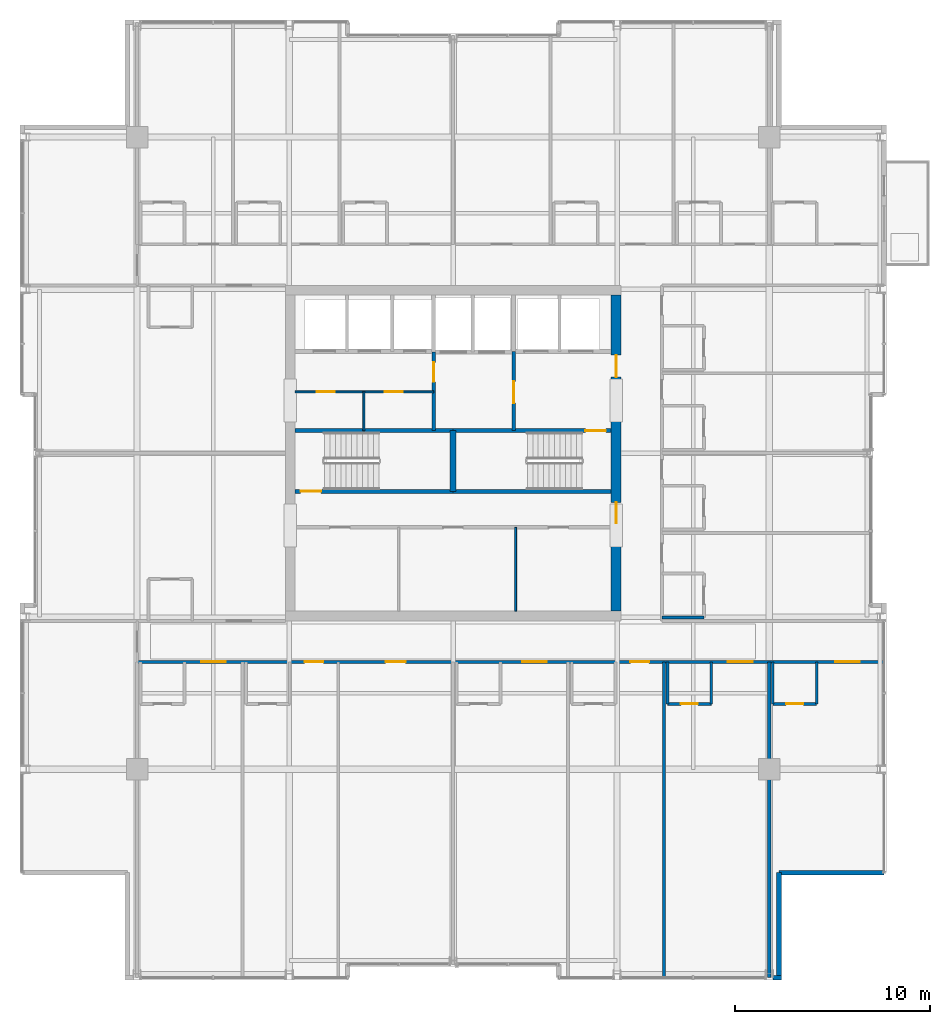
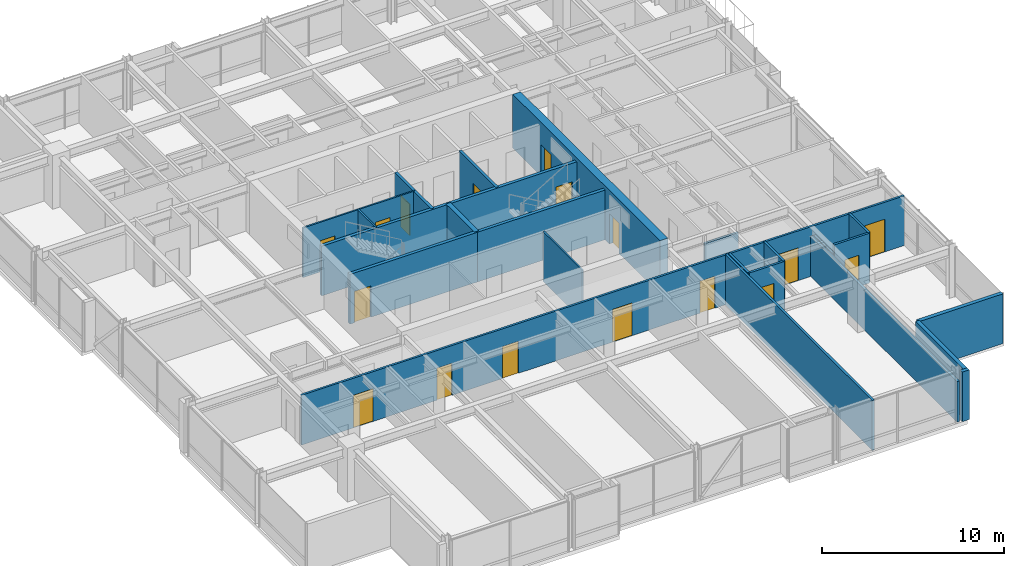
# One storey, part 27 of 33: 24 walls, 17 doors, 17 openings.
"""IFC4 building model written with IfcOpenShell, lengths in metres."""

import ifcopenshell
import ifcopenshell.guid

model = None  # the IFC model being written
_history = None  # IfcOwnerHistory: only IFC2X3 demands one
_inside = {}  # id of a spatial element -> (the spatial element, [elements in it])
_under = {}  # id of a project, library or spatial element -> (it, [spatial elements below it])
_declared = {}  # id of a project -> (the project, [libraries it declares])
_typed = {}  # id of a type object -> (the type object, [elements of that type])
_made_of = {}  # id of a material, layer set ... -> (it, [elements and type objects made of it])


def new_model(schema):
    """Start an empty IFC model of exactly this schema.

    Asked for "IFC4X3", IfcOpenShell would pick the latest addendum, in which some entities
    have other attributes; the version numbers below select the first issue.
    IFC2X3 requires an IfcOwnerHistory on every rooted entity: one is made here for all.
    """
    global model, _history
    if schema == "IFC4X3":
        model = ifcopenshell.file(schema_version=(4, 3, 0, 0))
    else:
        model = ifcopenshell.file(schema=schema)
    _inside.clear()
    _under.clear()
    _declared.clear()
    _typed.clear()
    _made_of.clear()
    _history = None
    if model.schema == "IFC2X3":
        org = make("IfcOrganization", Name="unknown")
        user = make(
            "IfcPersonAndOrganization",
            ThePerson=make("IfcPerson", FamilyName="unknown"),
            TheOrganization=org,
        )
        app = make(
            "IfcApplication",
            ApplicationDeveloper=org,
            Version="unknown",
            ApplicationFullName="unknown",
            ApplicationIdentifier="unknown",
        )
        _history = make(
            "IfcOwnerHistory",
            OwningUser=user,
            OwningApplication=app,
            ChangeAction="ADDED",
            CreationDate=0,
        )
    return model


def make(cls, **values):
    """One entity of the class cls with the attributes given. An attribute that is None is left unset."""
    return model.create_entity(
        cls, **{name: value for name, value in values.items() if value is not None}
    )


def rooted(cls, **values):
    """An entity with a GlobalId (a new one), such as an element, a storey or a relation."""
    return make(cls, GlobalId=ifcopenshell.guid.new(), OwnerHistory=_history, **values)


def si_unit(unit_type, name, prefix=None):
    """IfcSIUnit, for example si_unit("LENGTHUNIT", "METRE", prefix="MILLI")."""
    return make("IfcSIUnit", UnitType=unit_type, Prefix=prefix, Name=name)


def assignment(units):
    """IfcUnitAssignment: the units of a project."""
    return None if units is None else make("IfcUnitAssignment", Units=units)


def point(xyz):
    """IfcCartesianPoint."""
    return None if xyz is None else make("IfcCartesianPoint", Coordinates=xyz)


def direction(xyz):
    """IfcDirection."""
    return None if xyz is None else make("IfcDirection", DirectionRatios=xyz)


def frame(location, z_axis=None, x_axis=None):
    """IfcAxis2Placement3D, a coordinate frame: its origin and axes. An axis left out is left unset."""
    return make(
        "IfcAxis2Placement3D",
        Location=point(location),
        Axis=direction(z_axis),
        RefDirection=direction(x_axis),
    )


def frame_2d(location, x_axis=None):
    """IfcAxis2Placement2D, a coordinate frame in the plane: its origin and x axis."""
    return make(
        "IfcAxis2Placement2D", Location=point(location), RefDirection=direction(x_axis)
    )


def origin():
    """The frame at (0, 0, 0) with its axes left unset."""
    return frame((0.0, 0.0, 0.0))


def place(relative_to, where):
    """IfcLocalPlacement: puts the frame where relative to a parent placement (None: the world)."""
    return make(
        "IfcLocalPlacement", PlacementRelTo=relative_to, RelativePlacement=where
    )


def context(
    kind, dimensions, precision=None, world=None, true_north=None, identifier=None
):
    """IfcGeometricRepresentationContext, for example the 3D "Model" context."""
    return make(
        "IfcGeometricRepresentationContext",
        ContextIdentifier=identifier,
        ContextType=kind,
        CoordinateSpaceDimension=dimensions,
        Precision=precision,
        WorldCoordinateSystem=world,
        TrueNorth=true_north,
    )


def subcontext(parent, identifier, kind, view, scale=None):
    """IfcGeometricRepresentationSubContext, for example "Body" below "Model"."""
    return make(
        "IfcGeometricRepresentationSubContext",
        ContextIdentifier=identifier,
        ContextType=kind,
        ParentContext=parent,
        TargetScale=scale,
        TargetView=view,
    )


def project(units=None, contexts=None):
    """IfcProject with its units and contexts."""
    return rooted(
        "IfcProject",
        Name="project",
        RepresentationContexts=contexts,
        UnitsInContext=assignment(units),
    )


def spatial(cls, under=None, at=None, **own):
    """A site, building, storey or space (cls), placed at a placement, below another one or the project."""
    s = rooted(cls, ObjectPlacement=at, **own)
    if under is not None:
        _under.setdefault(under.id(), (under, []))[1].append(s)
    return s


def profile(cls, at=None, kind="AREA", **sizes):
    """A parametric profile (cls). Its sizes go by their IFC names, for example OverallWidth=200.0."""
    return make(cls, ProfileType=kind, Position=at, **sizes)


def rectangle(**sizes):
    """IfcRectangleProfileDef."""
    return profile("IfcRectangleProfileDef", **sizes)


def extrude(swept, where, along, depth):
    """IfcExtrudedAreaSolid: the profile swept, set in the frame where, extruded along a direction by depth."""
    return make(
        "IfcExtrudedAreaSolid",
        SweptArea=swept,
        Position=where,
        ExtrudedDirection=direction(along),
        Depth=depth,
    )


def shape(context_of_items, identifier, shape_type, items):
    """IfcShapeRepresentation: the items that make up one representation, for example the "Body"."""
    return make(
        "IfcShapeRepresentation",
        ContextOfItems=context_of_items,
        RepresentationIdentifier=identifier,
        RepresentationType=shape_type,
        Items=items,
    )


def material(Name=None, Category=None):
    """IfcMaterial."""
    return make("IfcMaterial", Name=Name, Category=Category)


def layer(
    of_material, thickness, ventilated=None, Name=None, Category=None, Priority=None
):
    """IfcMaterialLayer: one layer of a wall or slab, of a material (None: an air gap)."""
    return make(
        "IfcMaterialLayer",
        Material=of_material,
        LayerThickness=thickness,
        IsVentilated=ventilated,
        Name=Name,
        Category=Category,
        Priority=Priority,
    )


def layer_set(layers, Name=None):
    """IfcMaterialLayerSet."""
    return make("IfcMaterialLayerSet", MaterialLayers=layers, LayerSetName=Name)


def made_of(thing, what):
    """Note that an element or type object is made of a material, layer set ...; save() writes the relation."""
    if what is not None:
        _made_of.setdefault(what.id(), (what, []))[1].append(thing)
    return thing


def type_object(cls, material=None, **own):
    """A type object (cls), such as IfcWallType, which elements share."""
    return made_of(rooted(cls, **own), material)


def element(
    cls,
    number,
    at=None,
    inside=None,
    cuts=None,
    type_object=None,
    material=None,
    context=None,
    identifier="Body",
    shape_type=None,
    held_by="IfcProductDefinitionShape",
    body=None,
    shapes=None,
    **own,
):
    """One element of the class cls, such as IfcWall. Its Tag is "e" and its number.

    at: its placement. inside: the storey or other place that contains it. cuts: it is an
    opening in that element (IfcRelVoidsElement). A single representation is given by context,
    identifier, shape_type and body (its items); several are given by shapes. held_by: the class
    of the entity that holds the representations. save() writes the other relations.
    """
    e = rooted(cls, Tag="e%d" % number, ObjectPlacement=at, **own)
    if body is not None:
        shapes = [shape(context, identifier, shape_type, body)]
    if shapes is not None:
        e.Representation = make(held_by, Representations=shapes)
    if inside is not None:
        _inside.setdefault(inside.id(), (inside, []))[1].append(e)
    if cuts is not None:
        rooted(
            "IfcRelVoidsElement", RelatingBuildingElement=cuts, RelatedOpeningElement=e
        )
    if type_object is not None:
        _typed.setdefault(type_object.id(), (type_object, []))[1].append(e)
    return made_of(e, material)


def fill(opening, filler):
    """IfcRelFillsElement: the door or window that sits in an opening."""
    return rooted(
        "IfcRelFillsElement",
        RelatingOpeningElement=opening,
        RelatedBuildingElement=filler,
    )


def aggregate(whole, parts):
    """IfcRelAggregates: a whole, such as a stair, and the parts it consists of."""
    return rooted("IfcRelAggregates", RelatingObject=whole, RelatedObjects=parts)


def save(model, path):
    """Write the relations noted so far, then the file.

    IfcRelAggregates (storeys below a building ...), IfcRelContainedInSpatialStructure (elements
    in a storey), IfcRelDefinesByType, IfcRelAssociatesMaterial and IfcRelDeclares: one each for
    every whole, place, type object, material and project.
    """
    for whole, parts in _under.values():
        aggregate(whole, parts)
    for where, things in _inside.values():
        rooted(
            "IfcRelContainedInSpatialStructure",
            RelatedElements=things,
            RelatingStructure=where,
        )
    for kind, things in _typed.values():
        rooted("IfcRelDefinesByType", RelatedObjects=things, RelatingType=kind)
    for what, things in _made_of.values():
        rooted("IfcRelAssociatesMaterial", RelatedObjects=things, RelatingMaterial=what)
    for by, libraries in _declared.values():
        rooted("IfcRelDeclares", RelatingContext=by, RelatedDefinitions=libraries)
    model.write(path)


model = new_model("IFC4")

# Units and contexts
model_context = context("Model", 3, precision=1e-05, world=origin(), true_north=direction((0.0, 1.0)))
body_context = subcontext(model_context, "Body", "Model", "MODEL_VIEW")
ifc_project = project(units=[si_unit("LENGTHUNIT", "METRE"), si_unit("AREAUNIT", "SQUARE_METRE"), si_unit("VOLUMEUNIT", "CUBIC_METRE"), si_unit("PLANEANGLEUNIT", "RADIAN"), si_unit("MASSUNIT", "GRAM", prefix="KILO")], contexts=[model_context])

# Site, building, storey
site_placement = place(None, origin())
site = spatial("IfcSite", under=ifc_project, at=site_placement, CompositionType="ELEMENT")
building_placement = place(site_placement, origin())
building = spatial("IfcBuilding", under=site, at=building_placement, Name="Drelvath Grand Hotel", CompositionType="ELEMENT")
storey_placement = place(building_placement, frame((0.0, 0.0, 212.300048828125)))
storey = spatial("IfcBuildingStorey", under=building, at=storey_placement, Name="L55", CompositionType="ELEMENT", Elevation=212.300048828125)

# Wall, openings, doors
ifc_material_1 = material(Name="Gypsum Partition Board")
ifc_layer_1 = layer(ifc_material_1, 0.10009765625)
ifc_layer_set_1 = layer_set([ifc_layer_1], Name="Gypsum Partition Board")
wall_type_1 = type_object("IfcWallType", Name="Core Closet Partition 100", PredefinedType="PARTITIONING", material=ifc_layer_set_1)
wall_1_placement = place(storey_placement, frame((-8.10009765625, 30.139892578125, 0.0), z_axis=(0.0, 0.0, 1.0), x_axis=(1.0, 0.0, 0.0)))
wall_1 = element("IfcWall", 1, at=wall_1_placement, inside=storey, type_object=wall_type_1, Name="L55 High-Rise Lobby Closet Wall", PredefinedType="PARTITIONING", context=body_context, shape_type="SweptSolid", body=[
    extrude(rectangle(XDim=7.10009765625, YDim=0.10009765625, at=frame_2d((3.550048828125, 0.0))), origin(), (0.0, 0.0, 1.0), 3.33984375),
])
opening_1_placement = place(wall_1_placement, frame((1.10009765625, 0.0, 0.0)))
opening_1 = element("IfcOpeningElement", 2, at=opening_1_placement, cuts=wall_1, Name="Opening D-T4G1-013", PredefinedType="OPENING", context=body_context, shape_type="SweptSolid", body=[
    extrude(rectangle(XDim=0.919921875, YDim=2.10009765625, at=frame_2d((0.4599609375, 1.050048828125))), frame((0.0, 0.06005859375, 0.0), z_axis=(0.0, -1.0, 0.0), x_axis=(1.0, 0.0, 0.0)), (0.0, 0.0, 1.0), 0.1201171875),
])
opening_2_placement = place(wall_1_placement, frame((4.60009765625, 0.0, 0.0)))
opening_2 = element("IfcOpeningElement", 3, at=opening_2_placement, cuts=wall_1, Name="Opening D-T4G1-014", PredefinedType="OPENING", context=body_context, shape_type="SweptSolid", body=[
    extrude(rectangle(XDim=0.919921875, YDim=2.10009765625, at=frame_2d((0.4599609375, 1.050048828125))), frame((0.0, 0.06005859375, 0.0), z_axis=(0.0, -1.0, 0.0), x_axis=(1.0, 0.0, 0.0)), (0.0, 0.0, 1.0), 0.1201171875),
])
ifc_material_2 = material(Name="Painted Steel S275", Category="steel")
door_type_1 = type_object("IfcDoorType", Name="Staff Utility Door 920x2100", OperationType="NOTDEFINED", PredefinedType="DOOR", material=ifc_material_2)
door_1_placement = place(opening_1_placement, origin())
door_1 = element("IfcDoor", 4, at=door_1_placement, inside=storey, type_object=door_type_1, Name="L55 Electrical Closet Door", OperationType="SINGLE_SWING_RIGHT", OverallHeight=2.10009765625, OverallWidth=0.919921875, PredefinedType="DOOR", context=body_context, shape_type="SweptSolid", body=[
    extrude(rectangle(XDim=0.919921875, YDim=2.10009765625, at=frame_2d((0.4599609375, 1.050048828125))), frame((0.0, 0.02490234375, 0.0), z_axis=(0.0, -1.0, 0.0), x_axis=(1.0, 0.0, 0.0)), (0.0, 0.0, 1.0), 0.050048828125),
])
fill(opening_1, door_1)
door_2_placement = place(opening_2_placement, origin())
door_2 = element("IfcDoor", 5, at=door_2_placement, inside=storey, type_object=door_type_1, Name="L55 Telecom Room Door", OperationType="SINGLE_SWING_LEFT", OverallHeight=2.10009765625, OverallWidth=0.919921875, PredefinedType="DOOR", context=body_context, shape_type="SweptSolid", body=[
    extrude(rectangle(XDim=0.919921875, YDim=2.10009765625, at=frame_2d((0.4599609375, 1.050048828125))), frame((0.0, 0.02490234375, 0.0), z_axis=(0.0, -1.0, 0.0), x_axis=(1.0, 0.0, 0.0)), (0.0, 0.0, 1.0), 0.050048828125),
])
fill(opening_2, door_2)

# Walls
wall_2_placement = place(storey_placement, frame((-4.580078125, 28.159912109375, 0.0), z_axis=(0.0, 0.0, 1.0), x_axis=(0.0, 1.0, 0.0)))
element("IfcWall", 6, at=wall_2_placement, inside=storey, type_object=wall_type_1, Name="L55 Core Closet Split 1", PredefinedType="PARTITIONING", context=body_context, shape_type="SweptSolid", body=[
    extrude(rectangle(XDim=1.97998046875, YDim=0.10009765625, at=frame_2d((0.989990234375, 0.0))), origin(), (0.0, 0.0, 1.0), 3.33984375),
])
wall_3_placement = place(storey_placement, frame((3.199951171875, 18.89990234375, 0.0), z_axis=(0.0, 0.0, 1.0), x_axis=(0.0, 1.0, 0.0)))
element("IfcWall", 7, at=wall_3_placement, inside=storey, type_object=wall_type_1, Name="L55 Upper Core Split 1B", PredefinedType="PARTITIONING", context=body_context, shape_type="SweptSolid", body=[
    extrude(rectangle(XDim=4.300048828125, YDim=0.10009765625, at=frame_2d((2.14990234375, 0.0))), origin(), (0.0, 0.0, 1.0), 3.33984375),
])

# Wall, opening, door
ifc_material_3 = material(Name="Concrete C40/50", Category="concrete")
ifc_layer_2 = layer(ifc_material_3, 0.199951171875)
ifc_layer_set_2 = layer_set([ifc_layer_2], Name="Concrete C40/50")
wall_type_2 = type_object("IfcWallType", Name="Core Shaft Fire Wall 200", PredefinedType="SOLIDWALL", material=ifc_layer_set_2)
wall_4_placement = place(storey_placement, frame((-8.10009765625, 25.0400390625, 0.0), z_axis=(0.0, 0.0, 1.0), x_axis=(1.0, 0.0, 0.0)))
wall_4 = element("IfcWall", 8, at=wall_4_placement, inside=storey, type_object=wall_type_2, Name="L55 Stair ST-1 South Wall", PredefinedType="SOLIDWALL", context=body_context, shape_type="SweptSolid", body=[
    extrude(rectangle(XDim=8.10009765625, YDim=0.199951171875, at=frame_2d((4.050048828125, 0.0))), origin(), (0.0, 0.0, 1.0), 3.33984375),
])
opening_3_placement = place(wall_4_placement, frame((0.280029296875, 0.0, 0.0)))
opening_3 = element("IfcOpeningElement", 9, at=opening_3_placement, cuts=wall_4, Name="Opening D-T4G1-001", PredefinedType="OPENING", context=body_context, shape_type="SweptSolid", body=[
    extrude(rectangle(XDim=1.050048828125, YDim=2.10009765625, at=frame_2d((0.52490234375, 1.050048828125))), frame((0.0, 0.10986328125, 0.0), z_axis=(0.0, -1.0, 0.0), x_axis=(1.0, 0.0, 0.0)), (0.0, 0.0, 1.0), 0.219970703125),
])
door_type_2 = type_object("IfcDoorType", Name="Tower Stairwell Fire Door 1050x2100", OperationType="NOTDEFINED", PredefinedType="DOOR", material=ifc_material_2)
door_3_placement = place(opening_3_placement, origin())
door_3 = element("IfcDoor", 10, at=door_3_placement, inside=storey, type_object=door_type_2, Name="L55 Exit Stair ST-1 Door", OperationType="SINGLE_SWING_LEFT", OverallHeight=2.10009765625, OverallWidth=1.050048828125, PredefinedType="DOOR", context=body_context, shape_type="SweptSolid", body=[
    extrude(rectangle(XDim=1.050048828125, YDim=2.10009765625, at=frame_2d((0.52490234375, 1.050048828125))), frame((0.0, 0.02490234375, 0.0), z_axis=(0.0, -1.0, 0.0), x_axis=(1.0, 0.0, 0.0)), (0.0, 0.0, 1.0), 0.050048828125),
])
fill(opening_3, door_3)

# Walls
for number, where, z_axis, x_axis, name in (
    (11, (-8.10009765625, 28.159912109375, 0.0), (0.0, 0.0, 1.0), (1.0, 0.0, 0.0), "L55 Stair ST-1 North Wall"),
    (12, (0.0, 25.0400390625, 0.0), (0.0, 0.0, 1.0), (1.0, 0.0, 0.0), "L55 Stair ST-2 South Wall"),
):
    element("IfcWall", number, at=place(storey_placement, frame(where, z_axis=z_axis, x_axis=x_axis)), inside=storey, type_object=wall_type_2, Name=name, PredefinedType="SOLIDWALL", context=body_context, shape_type="SweptSolid", body=[
        extrude(rectangle(XDim=8.10009765625, YDim=0.199951171875, at=frame_2d((4.050048828125, 0.0))), origin(), (0.0, 0.0, 1.0), 3.33984375),
    ])

# Wall, opening, door
wall_5_placement = place(storey_placement, frame((8.10009765625, 28.159912109375, 0.0), z_axis=(0.0, 0.0, 1.0), x_axis=(-1.0, 0.0, 0.0)))
wall_5 = element("IfcWall", 13, at=wall_5_placement, inside=storey, type_object=wall_type_2, Name="L55 Stair ST-2 North Wall", PredefinedType="SOLIDWALL", context=body_context, shape_type="SweptSolid", body=[
    extrude(rectangle(XDim=8.10009765625, YDim=0.199951171875, at=frame_2d((4.050048828125, 0.0))), origin(), (0.0, 0.0, 1.0), 3.33984375),
])
opening_4_placement = place(wall_5_placement, frame((0.280029296875, 0.0, 0.0)))
opening_4 = element("IfcOpeningElement", 14, at=opening_4_placement, cuts=wall_5, Name="Opening D-T4G1-002", PredefinedType="OPENING", context=body_context, shape_type="SweptSolid", body=[
    extrude(rectangle(XDim=1.050048828125, YDim=2.10009765625, at=frame_2d((0.52490234375, 1.050048828125))), frame((0.0, 0.10986328125, 0.0), z_axis=(0.0, -1.0, 0.0), x_axis=(1.0, 0.0, 0.0)), (0.0, 0.0, 1.0), 0.219970703125),
])
door_4_placement = place(opening_4_placement, origin())
door_4 = element("IfcDoor", 15, at=door_4_placement, inside=storey, type_object=door_type_2, Name="L55 Exit Stair ST-2 Door", OperationType="SINGLE_SWING_LEFT", OverallHeight=2.10009765625, OverallWidth=1.050048828125, PredefinedType="DOOR", context=body_context, shape_type="SweptSolid", body=[
    extrude(rectangle(XDim=1.050048828125, YDim=2.10009765625, at=frame_2d((0.52490234375, 1.050048828125))), frame((0.0, 0.02490234375, 0.0), z_axis=(0.0, -1.0, 0.0), x_axis=(1.0, 0.0, 0.0)), (0.0, 0.0, 1.0), 0.050048828125),
])
fill(opening_4, door_4)

# Wall
ifc_layer_3 = layer(ifc_material_3, 0.300048828125)
ifc_layer_set_3 = layer_set([ifc_layer_3], Name="Concrete C40/50")
wall_type_3 = type_object("IfcWallType", Name="Core Shaft Fire Wall 300", PredefinedType="SOLIDWALL", material=ifc_layer_set_3)
wall_6_placement = place(storey_placement, frame((0.0, 25.0400390625, 0.0), z_axis=(0.0, 0.0, 1.0), x_axis=(0.0, 1.0, 0.0)))
element("IfcWall", 16, at=wall_6_placement, inside=storey, type_object=wall_type_3, Name="L55 Core Stair Divider Wall", PredefinedType="SOLIDWALL", context=body_context, shape_type="SweptSolid", body=[
    extrude(rectangle(XDim=3.119873046875, YDim=0.300048828125, at=frame_2d((1.56005859375, 0.0))), origin(), (0.0, 0.0, 1.0), 3.33984375),
])

# Wall, openings, doors
ifc_material_4 = material(Name="Gypsum Fireboard Partition")
ifc_layer_4 = layer(ifc_material_4, 0.135009765625)
ifc_layer_set_4 = layer_set([ifc_layer_4], Name="Gypsum Fireboard Partition")
wall_type_4 = type_object("IfcWallType", Name="Corridor Fire Barrier Wall 135", PredefinedType="PARTITIONING", material=ifc_layer_set_4)
wall_7_placement = place(storey_placement, frame((-16.199951171875, 16.300048828125, 0.0), z_axis=(0.0, 0.0, 1.0), x_axis=(1.0, 0.0, 0.0)))
wall_7 = element("IfcWall", 17, at=wall_7_placement, inside=storey, type_object=wall_type_4, Name="L55 South Cross-Gallery Wall", PredefinedType="PARTITIONING", context=body_context, shape_type="SweptSolid", body=[
    extrude(rectangle(XDim=38.280029296875, YDim=0.135009765625, at=frame_2d((19.14013671875, 0.0))), origin(), (0.0, 0.0, 1.0), 3.33984375),
])
opening_5_placement = place(wall_7_placement, frame((35.784912109375, 0.0, 0.0)))
opening_5 = element("IfcOpeningElement", 18, at=opening_5_placement, cuts=wall_7, Name="Opening D-T4G1-022", PredefinedType="OPENING", context=body_context, shape_type="SweptSolid", body=[
    extrude(rectangle(XDim=1.260009765625, YDim=2.199951171875, at=frame_2d((0.6298828125, 1.10009765625))), frame((0.0, 0.077392578125, 0.0), z_axis=(0.0, -1.0, 0.0), x_axis=(1.0, 0.0, 0.0)), (0.0, 0.0, 1.0), 0.155029296875),
])
opening_6_placement = place(wall_7_placement, frame((3.284912109375, 0.0, 0.0)))
opening_6 = element("IfcOpeningElement", 19, at=opening_6_placement, cuts=wall_7, Name="Opening D-T4G1-026", PredefinedType="OPENING", context=body_context, shape_type="SweptSolid", body=[
    extrude(rectangle(XDim=1.260009765625, YDim=2.199951171875, at=frame_2d((0.6298828125, 1.10009765625))), frame((0.0, 0.077392578125, 0.0), z_axis=(0.0, -1.0, 0.0), x_axis=(1.0, 0.0, 0.0)), (0.0, 0.0, 1.0), 0.155029296875),
])
opening_7_placement = place(wall_7_placement, frame((8.589599609375, 0.0, 0.0)))
opening_7 = element("IfcOpeningElement", 20, at=opening_7_placement, cuts=wall_7, Name="Opening D-T4G1-028", PredefinedType="OPENING", context=body_context, shape_type="SweptSolid", body=[
    extrude(rectangle(XDim=0.9599609375, YDim=2.14990234375, at=frame_2d((0.47998046875, 1.074951171875))), frame((0.0, 0.077392578125, 0.0), z_axis=(0.0, -1.0, 0.0), x_axis=(1.0, 0.0, 0.0)), (0.0, 0.0, 1.0), 0.155029296875),
])
opening_8_placement = place(wall_7_placement, frame((12.744384765625, 0.0, 0.0)))
opening_8 = element("IfcOpeningElement", 21, at=opening_8_placement, cuts=wall_7, Name="Opening D-T4G1-029", PredefinedType="OPENING", context=body_context, shape_type="SweptSolid", body=[
    extrude(rectangle(XDim=1.02001953125, YDim=2.14990234375, at=frame_2d((0.510009765625, 1.074951171875))), frame((0.0, 0.077392578125, 0.0), z_axis=(0.0, -1.0, 0.0), x_axis=(1.0, 0.0, 0.0)), (0.0, 0.0, 1.0), 0.155029296875),
])
opening_9_placement = place(wall_7_placement, frame((19.73046875, 0.0, 0.0)))
opening_9 = element("IfcOpeningElement", 22, at=opening_9_placement, cuts=wall_7, Name="Opening D-T4G1-031", PredefinedType="OPENING", context=body_context, shape_type="SweptSolid", body=[
    extrude(rectangle(XDim=1.260009765625, YDim=2.199951171875, at=frame_2d((0.6298828125, 1.10009765625))), frame((0.0, 0.077392578125, 0.0), z_axis=(0.0, -1.0, 0.0), x_axis=(1.0, 0.0, 0.0)), (0.0, 0.0, 1.0), 0.155029296875),
])
opening_10_placement = place(wall_7_placement, frame((25.280517578125, 0.0, 0.0)))
opening_10 = element("IfcOpeningElement", 23, at=opening_10_placement, cuts=wall_7, Name="Opening D-T4G1-033", PredefinedType="OPENING", context=body_context, shape_type="SweptSolid", body=[
    extrude(rectangle(XDim=0.9599609375, YDim=2.14990234375, at=frame_2d((0.47998046875, 1.074951171875))), frame((0.0, 0.077392578125, 0.0), z_axis=(0.0, -1.0, 0.0), x_axis=(1.0, 0.0, 0.0)), (0.0, 0.0, 1.0), 0.155029296875),
])
opening_11_placement = place(wall_7_placement, frame((30.284912109375, 0.0, 0.0)))
opening_11 = element("IfcOpeningElement", 24, at=opening_11_placement, cuts=wall_7, Name="Opening D-T4G1-035", PredefinedType="OPENING", context=body_context, shape_type="SweptSolid", body=[
    extrude(rectangle(XDim=1.260009765625, YDim=2.199951171875, at=frame_2d((0.6298828125, 1.10009765625))), frame((0.0, 0.077392578125, 0.0), z_axis=(0.0, -1.0, 0.0), x_axis=(1.0, 0.0, 0.0)), (0.0, 0.0, 1.0), 0.155029296875),
])
ifc_material_5 = material(Name="Hardwood Walnut Timber", Category="wood")
door_type_3 = type_object("IfcDoorType", Name="Amenity Meeting Fire Door 1020x2150", OperationType="NOTDEFINED", PredefinedType="DOOR", material=ifc_material_5)
door_5_placement = place(opening_8_placement, origin())
door_5 = element("IfcDoor", 25, at=door_5_placement, inside=storey, type_object=door_type_3, Name="L55 Diplomatic Reception Lounge Entry Door", OperationType="SINGLE_SWING_RIGHT", OverallHeight=2.14990234375, OverallWidth=1.02001953125, PredefinedType="DOOR", context=body_context, shape_type="SweptSolid", body=[
    extrude(rectangle(XDim=1.02001953125, YDim=2.14990234375, at=frame_2d((0.510009765625, 1.074951171875))), frame((0.0, 0.02490234375, 0.0), z_axis=(0.0, -1.0, 0.0), x_axis=(1.0, 0.0, 0.0)), (0.0, 0.0, 1.0), 0.050048828125),
])
fill(opening_8, door_5)
door_type_4 = type_object("IfcDoorType", Name="Guestroom Entrance Fire Door 960x2150", OperationType="NOTDEFINED", PredefinedType="DOOR", material=ifc_material_5)
door_6_placement = place(opening_7_placement, origin())
door_6 = element("IfcDoor", 26, at=door_6_placement, inside=storey, type_object=door_type_4, Name="L55 Deluxe Guest Room Entry Door", OperationType="SINGLE_SWING_LEFT", OverallHeight=2.14990234375, OverallWidth=0.9599609375, PredefinedType="DOOR", context=body_context, shape_type="SweptSolid", body=[
    extrude(rectangle(XDim=0.9599609375, YDim=2.14990234375, at=frame_2d((0.47998046875, 1.074951171875))), frame((0.0, 0.02490234375, 0.0), z_axis=(0.0, -1.0, 0.0), x_axis=(1.0, 0.0, 0.0)), (0.0, 0.0, 1.0), 0.050048828125),
])
fill(opening_7, door_6)
door_7_placement = place(opening_10_placement, origin())
door_7 = element("IfcDoor", 27, at=door_7_placement, inside=storey, type_object=door_type_4, Name="L55 Deluxe Guest Room Entry Door", OperationType="SINGLE_SWING_RIGHT", OverallHeight=2.14990234375, OverallWidth=0.9599609375, PredefinedType="DOOR", context=body_context, shape_type="SweptSolid", body=[
    extrude(rectangle(XDim=0.9599609375, YDim=2.14990234375, at=frame_2d((0.47998046875, 1.074951171875))), frame((0.0, 0.02490234375, 0.0), z_axis=(0.0, -1.0, 0.0), x_axis=(1.0, 0.0, 0.0)), (0.0, 0.0, 1.0), 0.050048828125),
])
fill(opening_10, door_7)
door_type_5 = type_object("IfcDoorType", Name="Suite Entrance Fire Door 1260x2200", OperationType="NOTDEFINED", PredefinedType="DOOR", material=ifc_material_5)
door_8_placement = place(opening_5_placement, origin())
door_8 = element("IfcDoor", 28, at=door_8_placement, inside=storey, type_object=door_type_5, Name="L55 Diplomatic Suite Entry Door", OperationType="SINGLE_SWING_LEFT", OverallHeight=2.199951171875, OverallWidth=1.260009765625, PredefinedType="DOOR", context=body_context, shape_type="SweptSolid", body=[
    extrude(rectangle(XDim=1.260009765625, YDim=2.199951171875, at=frame_2d((0.6298828125, 1.10009765625))), frame((0.0, 0.02490234375, 0.0), z_axis=(0.0, -1.0, 0.0), x_axis=(1.0, 0.0, 0.0)), (0.0, 0.0, 1.0), 0.050048828125),
])
fill(opening_5, door_8)
door_9_placement = place(opening_6_placement, origin())
door_9 = element("IfcDoor", 29, at=door_9_placement, inside=storey, type_object=door_type_5, Name="L55 Diplomatic Suite Entry Door", OperationType="SINGLE_SWING_LEFT", OverallHeight=2.199951171875, OverallWidth=1.260009765625, PredefinedType="DOOR", context=body_context, shape_type="SweptSolid", body=[
    extrude(rectangle(XDim=1.260009765625, YDim=2.199951171875, at=frame_2d((0.6298828125, 1.10009765625))), frame((0.0, 0.02490234375, 0.0), z_axis=(0.0, -1.0, 0.0), x_axis=(1.0, 0.0, 0.0)), (0.0, 0.0, 1.0), 0.050048828125),
])
fill(opening_6, door_9)
door_10_placement = place(opening_9_placement, origin())
door_10 = element("IfcDoor", 30, at=door_10_placement, inside=storey, type_object=door_type_5, Name="L55 Diplomatic Suite Entry Door", OperationType="SINGLE_SWING_RIGHT", OverallHeight=2.199951171875, OverallWidth=1.260009765625, PredefinedType="DOOR", context=body_context, shape_type="SweptSolid", body=[
    extrude(rectangle(XDim=1.260009765625, YDim=2.199951171875, at=frame_2d((0.6298828125, 1.10009765625))), frame((0.0, 0.02490234375, 0.0), z_axis=(0.0, -1.0, 0.0), x_axis=(1.0, 0.0, 0.0)), (0.0, 0.0, 1.0), 0.050048828125),
])
fill(opening_9, door_10)
door_11_placement = place(opening_11_placement, origin())
door_11 = element("IfcDoor", 31, at=door_11_placement, inside=storey, type_object=door_type_5, Name="L55 Diplomatic Suite Entry Door", OperationType="SINGLE_SWING_RIGHT", OverallHeight=2.199951171875, OverallWidth=1.260009765625, PredefinedType="DOOR", context=body_context, shape_type="SweptSolid", body=[
    extrude(rectangle(XDim=1.260009765625, YDim=2.199951171875, at=frame_2d((0.6298828125, 1.10009765625))), frame((0.0, 0.02490234375, 0.0), z_axis=(0.0, -1.0, 0.0), x_axis=(1.0, 0.0, 0.0)), (0.0, 0.0, 1.0), 0.050048828125),
])
fill(opening_11, door_11)

# Walls
ifc_material_6 = material(Name="Moisture-Resistant Gypsum Board")
ifc_layer_5 = layer(ifc_material_6, 0.139892578125)
ifc_layer_set_5 = layer_set([ifc_layer_5], Name="Moisture-Resistant Gypsum Board")
wall_type_5 = type_object("IfcWallType", Name="En-Suite Plumbing Wall 140", PredefinedType="PLUMBINGWALL", material=ifc_layer_set_5)
wall_8_placement = place(storey_placement, frame((16.3798828125, 16.300048828125, 0.0), z_axis=(0.0, 0.0, 1.0), x_axis=(0.0, -1.0, 0.0)))
element("IfcWall", 32, at=wall_8_placement, inside=storey, type_object=wall_type_5, Name="L55 En-Suite Left Wall", PredefinedType="PLUMBINGWALL", context=body_context, shape_type="SweptSolid", body=[
    extrude(rectangle(XDim=2.150146484375, YDim=0.139892578125, at=frame_2d((1.0751953125, 0.0))), origin(), (0.0, 0.0, 1.0), 2.7138671875),
])
wall_9_placement = place(storey_placement, frame((18.6298828125, 16.300048828125, 0.0), z_axis=(0.0, 0.0, 1.0), x_axis=(0.0, -1.0, 0.0)))
element("IfcWall", 33, at=wall_9_placement, inside=storey, type_object=wall_type_5, Name="L55 En-Suite Right Wall", PredefinedType="PLUMBINGWALL", context=body_context, shape_type="SweptSolid", body=[
    extrude(rectangle(XDim=2.150146484375, YDim=0.139892578125, at=frame_2d((1.0751953125, 0.0))), origin(), (0.0, 0.0, 1.0), 3.33984375),
])

# Wall, opening, door
wall_10_placement = place(storey_placement, frame((16.3798828125, 14.14990234375, 0.0), z_axis=(0.0, 0.0, 1.0), x_axis=(1.0, 0.0, 0.0)))
wall_10 = element("IfcWall", 34, at=wall_10_placement, inside=storey, type_object=wall_type_5, Name="L55 En-Suite Front Wall", PredefinedType="PLUMBINGWALL", context=body_context, shape_type="SweptSolid", body=[
    extrude(rectangle(XDim=2.25, YDim=0.139892578125, at=frame_2d((1.125, 0.0))), origin(), (0.0, 0.0, 1.0), 3.33984375),
])
opening_12_placement = place(wall_10_placement, frame((0.68505859375, 0.0, 0.0)))
opening_12 = element("IfcOpeningElement", 35, at=opening_12_placement, cuts=wall_10, Name="Opening D-T4G1-021", PredefinedType="OPENING", context=body_context, shape_type="SweptSolid", body=[
    extrude(rectangle(XDim=0.8798828125, YDim=2.10009765625, at=frame_2d((0.43994140625, 1.050048828125))), frame((0.0, 0.079833984375, 0.0), z_axis=(0.0, -1.0, 0.0), x_axis=(1.0, 0.0, 0.0)), (0.0, 0.0, 1.0), 0.159912109375),
])
door_type_6 = type_object("IfcDoorType", Name="En-Suite Bathroom Door 880x2100", OperationType="NOTDEFINED", PredefinedType="DOOR", material=ifc_material_5)
door_12_placement = place(opening_12_placement, origin())
door_12 = element("IfcDoor", 36, at=door_12_placement, inside=storey, type_object=door_type_6, Name="L55 En-Suite Bathroom Door", OperationType="SINGLE_SWING_RIGHT", OverallHeight=2.10009765625, OverallWidth=0.8798828125, PredefinedType="DOOR", context=body_context, shape_type="SweptSolid", body=[
    extrude(rectangle(XDim=0.8798828125, YDim=2.10009765625, at=frame_2d((0.43994140625, 1.050048828125))), frame((0.0, 0.02490234375, 0.0), z_axis=(0.0, -1.0, 0.0), x_axis=(1.0, 0.0, 0.0)), (0.0, 0.0, 1.0), 0.050048828125),
])
fill(opening_12, door_12)

# Walls
for number, where, z_axis, x_axis, name in (
    (37, (10.97998046875, 16.300048828125, 0.0), (0.0, 0.0, 1.0), (0.0, -1.0, 0.0), "L55 En-Suite Left Wall"),
    (38, (13.22998046875, 16.300048828125, 0.0), (0.0, 0.0, 1.0), (0.0, -1.0, 0.0), "L55 En-Suite Right Wall"),
):
    element("IfcWall", number, at=place(storey_placement, frame(where, z_axis=z_axis, x_axis=x_axis)), inside=storey, type_object=wall_type_5, Name=name, PredefinedType="PLUMBINGWALL", context=body_context, shape_type="SweptSolid", body=[
        extrude(rectangle(XDim=2.150146484375, YDim=0.139892578125, at=frame_2d((1.0751953125, 0.0))), origin(), (0.0, 0.0, 1.0), 3.33984375),
    ])

# Wall, opening, door
wall_11_placement = place(storey_placement, frame((10.97998046875, 14.14990234375, 0.0), z_axis=(0.0, 0.0, 1.0), x_axis=(1.0, 0.0, 0.0)))
wall_11 = element("IfcWall", 39, at=wall_11_placement, inside=storey, type_object=wall_type_5, Name="L55 En-Suite Front Wall", PredefinedType="PLUMBINGWALL", context=body_context, shape_type="SweptSolid", body=[
    extrude(rectangle(XDim=2.25, YDim=0.139892578125, at=frame_2d((1.125, 0.0))), origin(), (0.0, 0.0, 1.0), 3.33984375),
])
opening_13_placement = place(wall_11_placement, frame((0.68505859375, 0.0, 0.0)))
opening_13 = element("IfcOpeningElement", 40, at=opening_13_placement, cuts=wall_11, Name="Opening D-T4G1-034", PredefinedType="OPENING", context=body_context, shape_type="SweptSolid", body=[
    extrude(rectangle(XDim=0.8798828125, YDim=2.10009765625, at=frame_2d((0.43994140625, 1.050048828125))), frame((0.0, 0.079833984375, 0.0), z_axis=(0.0, -1.0, 0.0), x_axis=(1.0, 0.0, 0.0)), (0.0, 0.0, 1.0), 0.159912109375),
])
door_13_placement = place(opening_13_placement, origin())
door_13 = element("IfcDoor", 41, at=door_13_placement, inside=storey, type_object=door_type_6, Name="L55 En-Suite Bathroom Door", OperationType="SINGLE_SWING_LEFT", OverallHeight=2.10009765625, OverallWidth=0.8798828125, PredefinedType="DOOR", context=body_context, shape_type="SweptSolid", body=[
    extrude(rectangle(XDim=0.8798828125, YDim=2.10009765625, at=frame_2d((0.43994140625, 1.050048828125))), frame((0.0, 0.02490234375, 0.0), z_axis=(0.0, -1.0, 0.0), x_axis=(1.0, 0.0, 0.0)), (0.0, 0.0, 1.0), 0.050048828125),
])
fill(opening_13, door_13)

# Wall
wall_12_placement = place(storey_placement, frame((10.699951171875, 18.580078125, 0.0), z_axis=(0.0, 0.0, 1.0), x_axis=(1.0, 0.0, 0.0)))
element("IfcWall", 42, at=wall_12_placement, inside=storey, type_object=wall_type_5, Name="L55 En-Suite Left Wall", PredefinedType="PLUMBINGWALL", context=body_context, shape_type="SweptSolid", body=[
    extrude(rectangle(XDim=2.150146484375, YDim=0.139892578125, at=frame_2d((1.0751953125, 0.0))), origin(), (0.0, 0.0, 1.0), 2.71728515625),
])

# Wall, opening, door
ifc_layer_6 = layer(ifc_material_4, 0.179931640625)
ifc_layer_set_6 = layer_set([ifc_layer_6], Name="Gypsum Fireboard Partition")
wall_type_6 = type_object("IfcWallType", Name="FSAE Smoke Lobby Fire Wall 180", PredefinedType="SOLIDWALL", material=ifc_layer_set_6)
wall_13_placement = place(storey_placement, frame((3.10009765625, 28.159912109375, 0.0), z_axis=(0.0, 0.0, 1.0), x_axis=(0.0, 1.0, 0.0)))
wall_13 = element("IfcWall", 43, at=wall_13_placement, inside=storey, type_object=wall_type_6, Name="L55 FSAE Smoke Lobby West Wall", PredefinedType="SOLIDWALL", context=body_context, shape_type="SweptSolid", body=[
    extrude(rectangle(XDim=4.06005859375, YDim=0.179931640625, at=frame_2d((2.030029296875, 0.0))), origin(), (0.0, 0.0, 1.0), 3.33984375),
])
opening_14_placement = place(wall_13_placement, frame((1.39990234375, 0.0, 0.0)))
opening_14 = element("IfcOpeningElement", 44, at=opening_14_placement, cuts=wall_13, Name="Opening D-T4G1-005", PredefinedType="OPENING", context=body_context, shape_type="SweptSolid", body=[
    extrude(rectangle(XDim=1.1201171875, YDim=2.10009765625, at=frame_2d((0.56005859375, 1.050048828125))), frame((0.0, 0.099853515625, 0.0), z_axis=(0.0, -1.0, 0.0), x_axis=(1.0, 0.0, 0.0)), (0.0, 0.0, 1.0), 0.199951171875),
])
door_type_7 = type_object("IfcDoorType", Name="FSAE Smoke Lobby Fire Door 1120x2100", OperationType="NOTDEFINED", PredefinedType="DOOR", material=ifc_material_2)
door_14_placement = place(opening_14_placement, origin())
door_14 = element("IfcDoor", 45, at=door_14_placement, inside=storey, type_object=door_type_7, Name="L55 FSAE Lobby Service Vestibule Door", OperationType="SINGLE_SWING_RIGHT", OverallHeight=2.10009765625, OverallWidth=1.1201171875, PredefinedType="DOOR", context=body_context, shape_type="SweptSolid", body=[
    extrude(rectangle(XDim=1.1201171875, YDim=2.10009765625, at=frame_2d((0.56005859375, 1.050048828125))), frame((0.0, 0.02490234375, 0.0), z_axis=(0.0, -1.0, 0.0), x_axis=(1.0, 0.0, 0.0)), (0.0, 0.0, 1.0), 0.050048828125),
])
fill(opening_14, door_14)

wall_14_placement = place(storey_placement, frame((-1.0, 28.159912109375, 0.0), z_axis=(0.0, 0.0, 1.0), x_axis=(0.0, 1.0, 0.0)))
wall_14 = element("IfcWall", 46, at=wall_14_placement, inside=storey, type_object=wall_type_6, Name="L55 Service Vestibule West Wall", PredefinedType="SOLIDWALL", context=body_context, shape_type="SweptSolid", body=[
    extrude(rectangle(XDim=4.02001953125, YDim=0.179931640625, at=frame_2d((2.010009765625, 0.0))), origin(), (0.0, 0.0, 1.0), 3.33984375),
])
opening_15_placement = place(wall_14_placement, frame((2.489990234375, 0.0, 0.0)))
opening_15 = element("IfcOpeningElement", 47, at=opening_15_placement, cuts=wall_14, Name="Opening D-T4G1-009", PredefinedType="OPENING", context=body_context, shape_type="SweptSolid", body=[
    extrude(rectangle(XDim=1.0, YDim=2.10009765625, at=frame_2d((0.5, 1.050048828125))), frame((0.0, 0.099853515625, 0.0), z_axis=(0.0, -1.0, 0.0), x_axis=(1.0, 0.0, 0.0)), (0.0, 0.0, 1.0), 0.199951171875),
])
door_type_8 = type_object("IfcDoorType", Name="Core Service Fire Door 1000x2100", OperationType="NOTDEFINED", PredefinedType="DOOR", material=ifc_material_2)
door_15_placement = place(opening_15_placement, origin())
door_15 = element("IfcDoor", 48, at=door_15_placement, inside=storey, type_object=door_type_8, Name="L55 Service Vestibule West Door", OperationType="SINGLE_SWING_LEFT", OverallHeight=2.10009765625, OverallWidth=1.0, PredefinedType="DOOR", context=body_context, shape_type="SweptSolid", body=[
    extrude(rectangle(XDim=1.0, YDim=2.10009765625, at=frame_2d((0.5, 1.050048828125))), frame((0.0, 0.02490234375, 0.0), z_axis=(0.0, -1.0, 0.0), x_axis=(1.0, 0.0, 0.0)), (0.0, 0.0, 1.0), 0.050048828125),
])
fill(opening_15, door_15)

# Walls
ifc_material_7 = material(Name="Gypsum Acoustic Partition")
ifc_layer_7 = layer(ifc_material_7, 0.14990234375)
ifc_layer_set_7 = layer_set([ifc_layer_7], Name="Gypsum Acoustic Partition")
wall_type_7 = type_object("IfcWallType", Name="Guestroom Demising Wall 150", PredefinedType="PARTITIONING", material=ifc_layer_set_7)
wall_15_placement = place(storey_placement, frame((10.800048828125, 0.1201171875, 0.0), z_axis=(0.0, 0.0, 1.0), x_axis=(0.0, 1.0, 0.0)))
element("IfcWall", 49, at=wall_15_placement, inside=storey, type_object=wall_type_7, Name="L55 South Demising 5", PredefinedType="PARTITIONING", context=body_context, shape_type="SweptSolid", body=[
    extrude(rectangle(XDim=16.179931640625, YDim=0.14990234375, at=frame_2d((8.08984375, 0.0))), origin(), (0.0, 0.0, 1.0), 3.33984375),
])
ifc_layer_8 = layer(ifc_material_7, 0.1650390625)
ifc_layer_set_8 = layer_set([ifc_layer_8], Name="Gypsum Acoustic Partition")
wall_type_8 = type_object("IfcWallType", Name="Suite Demising Wall 165", PredefinedType="PARTITIONING", material=ifc_layer_set_8)
wall_16_placement = place(storey_placement, frame((16.199951171875, 0.1201171875, 0.0), z_axis=(0.0, 0.0, 1.0), x_axis=(0.0, 1.0, 0.0)))
element("IfcWall", 50, at=wall_16_placement, inside=storey, type_object=wall_type_8, Name="L55 SE Suite Wall", PredefinedType="PARTITIONING", context=body_context, shape_type="SweptSolid", body=[
    extrude(rectangle(XDim=16.179931640625, YDim=0.1650390625, at=frame_2d((8.08984375, 0.0))), origin(), (0.0, 0.0, 1.0), 2.7138671875),
])
ifc_material_8 = material(Name="Pale-Metal Insulated Aluminium Spandrel Assembly", Category="aluminium")
ifc_layer_9 = layer(ifc_material_8, 0.239990234375)
ifc_layer_set_9 = layer_set([ifc_layer_9], Name="Pale-Metal Insulated Aluminium Spandrel Assembly")
wall_type_9 = type_object("IfcWallType", Name="Tower Insulated Metal Spandrel Closure Wall 240", PredefinedType="STANDARD", material=ifc_layer_set_9)
wall_17_placement = place(storey_placement, frame((16.820068359375, 0.1201171875, 0.0), z_axis=(0.0, 0.0, 1.0), x_axis=(-1.0, 0.0, 0.0)))
element("IfcWall", 51, at=wall_17_placement, inside=storey, type_object=wall_type_9, Name="L55 Corner Pier Spandrel Wall SE3", PredefinedType="STANDARD", context=body_context, shape_type="SweptSolid", body=[
    extrude(rectangle(XDim=0.434814453125, YDim=0.239990234375, at=frame_2d((0.21728515625, 0.0))), origin(), (0.0, 0.0, 1.0), 3.33984375),
])
wall_18_placement = place(storey_placement, frame((22.080078125, 5.5, 0.0), z_axis=(0.0, 0.0, 1.0), x_axis=(-1.0, 0.0, 0.0)))
element("IfcWall", 52, at=wall_18_placement, inside=storey, type_object=wall_type_9, Name="L55 Notched Corner Return Spandrel Wall CSE1", PredefinedType="STANDARD", context=body_context, shape_type="SweptSolid", body=[
    extrude(rectangle(XDim=5.380126953125, YDim=0.239990234375, at=frame_2d((2.68994140625, 0.0))), origin(), (0.0, 0.0, 1.0), 3.33984375),
])
wall_19_placement = place(storey_placement, frame((16.699951171875, 5.5, 0.0), z_axis=(0.0, 0.0, 1.0), x_axis=(0.0, -1.0, 0.0)))
element("IfcWall", 53, at=wall_19_placement, inside=storey, type_object=wall_type_9, Name="L55 Notched Corner Return Spandrel Wall CSE2", PredefinedType="STANDARD", context=body_context, shape_type="SweptSolid", body=[
    extrude(rectangle(XDim=5.260009765625, YDim=0.239990234375, at=frame_2d((2.6298828125, 0.0))), origin(), (0.0, 0.0, 1.0), 3.33984375),
])

# Wall, openings, doors
ifc_material_9 = material(Name="Concrete f'c 55 MPa", Category="concrete")
ifc_layer_10 = layer(ifc_material_9, 0.5)
ifc_layer_set_10 = layer_set([ifc_layer_10], Name="Concrete f'c 55 MPa")
wall_type_10 = type_object("IfcWallType", Name="Upper Core RC Shear Wall 500", PredefinedType="SHEAR", material=ifc_layer_set_10)
wall_20_placement = place(storey_placement, frame((8.35009765625, 35.10009765625, 0.0), z_axis=(0.0, 0.0, 1.0), x_axis=(0.0, -1.0, 0.0)))
wall_20 = element("IfcWall", 54, at=wall_20_placement, inside=storey, type_object=wall_type_10, Name="L55 Central Core Shear Wall E", PredefinedType="SHEAR", context=body_context, shape_type="SweptSolid", body=[
    extrude(rectangle(XDim=16.2001953125, YDim=0.5, at=frame_2d((8.10009765625, 0.0))), origin(), (0.0, 0.0, 1.0), 3.599853515625),
])
opening_16_placement = place(wall_20_placement, frame((3.080078125, 0.0, 0.0)))
opening_16 = element("IfcOpeningElement", 55, at=opening_16_placement, cuts=wall_20, Name="Opening D-T4G1-006", PredefinedType="OPENING", context=body_context, shape_type="SweptSolid", body=[
    extrude(rectangle(XDim=1.1201171875, YDim=2.10009765625, at=frame_2d((0.56005859375, 1.050048828125))), frame((0.0, 0.260009765625, 0.0), z_axis=(0.0, -1.0, 0.0), x_axis=(1.0, 0.0, 0.0)), (0.0, 0.0, 1.0), 0.52001953125),
])
opening_17_placement = place(wall_20_placement, frame((10.6201171875, 0.0, 0.0)))
opening_17 = element("IfcOpeningElement", 56, at=opening_17_placement, cuts=wall_20, Name="Opening D-T4G1-015", PredefinedType="OPENING", context=body_context, shape_type="SweptSolid", body=[
    extrude(rectangle(XDim=1.080078125, YDim=2.0400390625, at=frame_2d((0.5400390625, 1.02001953125))), frame((0.0, 0.260009765625, 0.0), z_axis=(0.0, -1.0, 0.0), x_axis=(1.0, 0.0, 0.0)), (0.0, 0.0, 1.0), 0.52001953125),
])
door_type_9 = type_object("IfcDoorType", Name="Core Corridor Fire Door 1080x2100", OperationType="NOTDEFINED", PredefinedType="DOOR", material=ifc_material_2)
door_16_placement = place(opening_17_placement, origin())
door_16 = element("IfcDoor", 57, at=door_16_placement, inside=storey, type_object=door_type_9, Name="L55 Core Passage East Door", OperationType="SINGLE_SWING_RIGHT", OverallHeight=2.0400390625, OverallWidth=1.080078125, PredefinedType="DOOR", context=body_context, shape_type="SweptSolid", body=[
    extrude(rectangle(XDim=1.080078125, YDim=2.0400390625, at=frame_2d((0.5400390625, 1.02001953125))), frame((0.0, 0.02490234375, 0.0), z_axis=(0.0, -1.0, 0.0), x_axis=(1.0, 0.0, 0.0)), (0.0, 0.0, 1.0), 0.050048828125),
])
fill(opening_17, door_16)
door_17_placement = place(opening_16_placement, origin())
door_17 = element("IfcDoor", 58, at=door_17_placement, inside=storey, type_object=door_type_7, Name="L55 FSAE Lobby East Corridor Door", OperationType="SINGLE_SWING_LEFT", OverallHeight=2.10009765625, OverallWidth=1.1201171875, PredefinedType="DOOR", context=body_context, shape_type="SweptSolid", body=[
    extrude(rectangle(XDim=1.1201171875, YDim=2.10009765625, at=frame_2d((0.56005859375, 1.050048828125))), frame((0.0, 0.02490234375, 0.0), z_axis=(0.0, -1.0, 0.0), x_axis=(1.0, 0.0, 0.0)), (0.0, 0.0, 1.0), 0.050048828125),
])
fill(opening_16, door_17)

save(model, "model.ifc")
